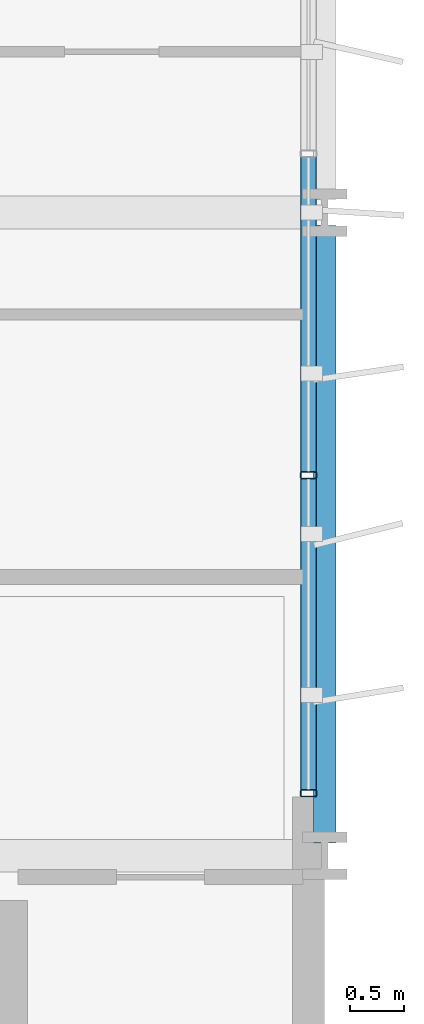
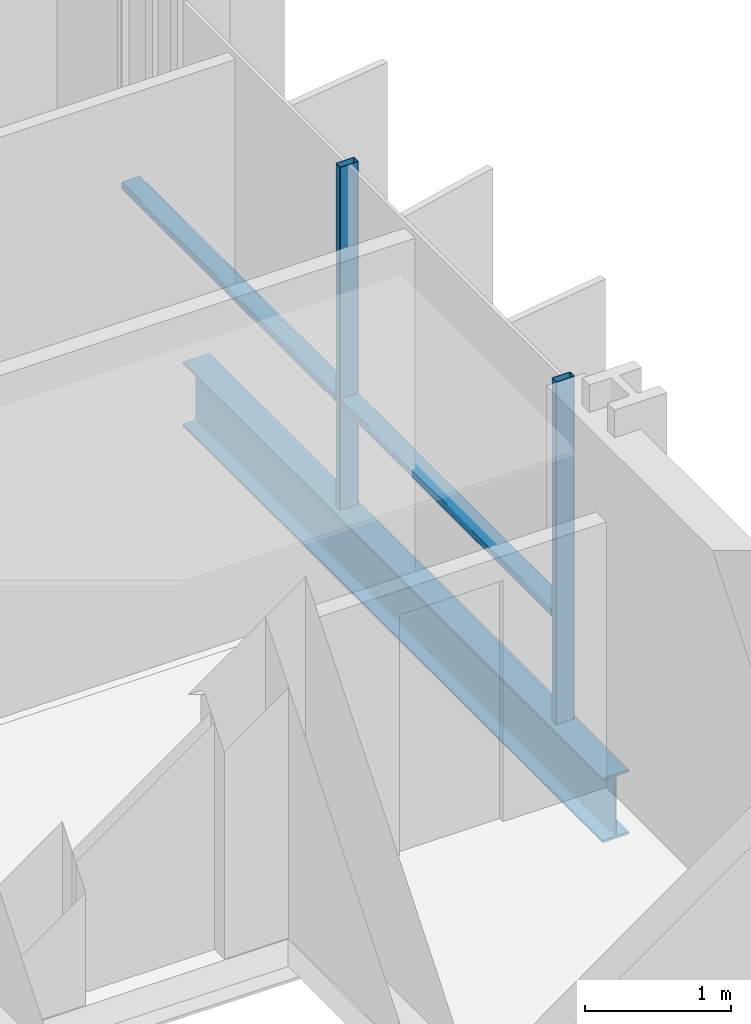
# One storey, part 15 of 39: 4 members, 1 beam, 1 element without a shape of its own.
"""IFC4 building model written with IfcOpenShell, lengths in metres."""

from ifc_helpers import new_model, si_unit, direction, frame, origin, origin_2d, place, context, subcontext, project, spatial, hollow_rectangle, i_section, extrude, material, layer, layer_set, material_profile, profile_set, type_object, element, aggregate, save


model = new_model("IFC4")

# Units and contexts
model_context = context("Model", 3, precision=1e-05, world=origin(), true_north=direction((0.0, 1.0)))
body_context = subcontext(model_context, "Body", "Model", "MODEL_VIEW")
ifc_project = project(units=[si_unit("LENGTHUNIT", "METRE"), si_unit("AREAUNIT", "SQUARE_METRE"), si_unit("VOLUMEUNIT", "CUBIC_METRE"), si_unit("PLANEANGLEUNIT", "RADIAN"), si_unit("MASSUNIT", "GRAM", prefix="KILO")], contexts=[model_context])

# Site, building, storey
site_placement = place(None, origin())
site = spatial("IfcSite", under=ifc_project, at=site_placement, CompositionType="ELEMENT")
building_placement = place(site_placement, origin())
building = spatial("IfcBuilding", under=site, at=building_placement, Name="Brevholm Reach", CompositionType="ELEMENT")
storey_placement = place(building_placement, frame((0.0, 0.0, 40.39990234375)))
storey = spatial("IfcBuildingStorey", under=building, at=storey_placement, Name="L10", CompositionType="ELEMENT", Elevation=40.39990234375)

# Beam
ifc_material_1 = material(Name="Structural Steel S355J2", Category="steel")
ifc_material_profile_1 = material_profile(ifc_material_1, i_section(OverallWidth=0.210693359375, OverallDepth=0.53955078125, WebThickness=0.01171875, FlangeThickness=0.018798828125, FilletRadius=0.0126953125, at=origin_2d()), Name="UKB 533x210x109")
ifc_profile_set_1 = profile_set([ifc_material_profile_1], Name="Structural Steel S355J2")
beam_type = type_object("IfcBeamType", Name="BM-SP539", PredefinedType="SPANDREL", material=ifc_profile_set_1)
beam_placement = place(storey_placement, frame((60.0, 10.1201171875, -0.499755859375), z_axis=(0.0, 1.0, 0.0), x_axis=(-1.0, 0.0, 0.0)))
element("IfcBeam", 1, at=beam_placement, inside=storey, type_object=beam_type, Name="L10 SP-01B Framing Beam", PredefinedType="SPANDREL", context=body_context, shape_type="SweptSolid", body=[
    extrude(i_section(OverallWidth=0.210693359375, OverallDepth=0.53955078125, WebThickness=0.01171875, FlangeThickness=0.018798828125, FilletRadius=0.0126953125, at=origin_2d()), origin(), (0.0, 0.0, 1.0), 5.759765625),
])

# Curtain wall, members
ifc_material_2 = material(Name="Dark Anodised Aluminium 6063-T6 and Solar-Control Glass", Category="aluminium")
ifc_layer = layer(ifc_material_2, 0.14990234375)
ifc_layer_set = layer_set([ifc_layer], Name="Dark Anodised Aluminium 6063-T6 and Solar-Control Glass")
curtain_wall_type = type_object("IfcCurtainWallType", Name="CW-01", PredefinedType="NOTDEFINED", material=ifc_layer_set)
curtain_wall_placement = place(storey_placement, origin())
curtain_wall = element("IfcCurtainWall", 2, at=curtain_wall_placement, inside=storey, type_object=curtain_wall_type, Name="L10 Curtain Wall CW-01", PredefinedType="NOTDEFINED")
ifc_material_3 = material(Name="Dark Anodised Aluminium 6063-T6", Category="aluminium")
ifc_material_profile_2 = material_profile(ifc_material_3, hollow_rectangle(XDim=0.06494140625, YDim=0.14990234375, WallThickness=0.0048828125, InnerFilletRadius=0.0048828125, OuterFilletRadius=0.010009765625, at=origin_2d()), Name="RHS 150x65x5")
ifc_profile_set_2 = profile_set([ifc_material_profile_2], Name="Dark Anodised Aluminium 6063-T6")
member_type_1 = type_object("IfcMemberType", Name="CWM-150", PredefinedType="MULLION", material=ifc_profile_set_2)
member_1_placement = place(storey_placement, frame((59.85009765625, 10.58251953125, 0.0), z_axis=(0.0, 0.0, 1.0), x_axis=(0.0, 1.0, 0.0)))
member_1 = element("IfcMember", 3, at=member_1_placement, type_object=member_type_1, Name="CM-150 Mullion 1", PredefinedType="MULLION", context=body_context, shape_type="SweptSolid", body=[
    extrude(hollow_rectangle(XDim=0.06494140625, YDim=0.14990234375, WallThickness=0.0048828125, InnerFilletRadius=0.0048828125, OuterFilletRadius=0.010009765625, at=origin_2d()), origin(), (0.0, 0.0, 1.0), 2.8701171875),
])
member_2_placement = place(storey_placement, frame((59.85009765625, 13.550048828125, 0.0), z_axis=(0.0, 0.0, 1.0), x_axis=(0.0, 1.0, 0.0)))
member_2 = element("IfcMember", 4, at=member_2_placement, type_object=member_type_1, Name="CM-150 Mullion 2", PredefinedType="MULLION", context=body_context, shape_type="SweptSolid", body=[
    extrude(hollow_rectangle(XDim=0.06494140625, YDim=0.14990234375, WallThickness=0.0048828125, InnerFilletRadius=0.0048828125, OuterFilletRadius=0.010009765625, at=origin_2d()), origin(), (0.0, 0.0, 1.0), 2.8701171875),
])
ifc_material_4 = material(Name="Dark Anodised Aluminium 6063-T6", Category="aluminium")
ifc_material_profile_3 = material_profile(ifc_material_4, hollow_rectangle(XDim=0.06494140625, YDim=0.14990234375, WallThickness=0.0048828125, InnerFilletRadius=0.0048828125, OuterFilletRadius=0.010009765625, at=origin_2d()), Name="RHS 150x65x5")
ifc_profile_set_3 = profile_set([ifc_material_profile_3], Name="Dark Anodised Aluminium 6063-T6")
member_type_2 = type_object("IfcMemberType", Name="CWT-150", PredefinedType="NOTDEFINED", material=ifc_profile_set_3)
member_3_placement = place(storey_placement, frame((59.85009765625, 10.614990234375, 0.900146484375), z_axis=(0.0, 1.0, 0.0), x_axis=(0.0, 0.0, 1.0)))
member_3 = element("IfcMember", 5, at=member_3_placement, type_object=member_type_2, Name="CT-150 Transom 1.1", ObjectType="TRANSOM", PredefinedType="USERDEFINED", context=body_context, shape_type="SweptSolid", body=[
    extrude(hollow_rectangle(XDim=0.06494140625, YDim=0.14990234375, WallThickness=0.0048828125, InnerFilletRadius=0.0048828125, OuterFilletRadius=0.010009765625, at=origin_2d()), origin(), (0.0, 0.0, 1.0), 2.902587890625),
])
member_4_placement = place(storey_placement, frame((59.85009765625, 13.58251953125, 0.900146484375), z_axis=(0.0, 1.0, 0.0), x_axis=(0.0, 0.0, 1.0)))
member_4 = element("IfcMember", 6, at=member_4_placement, type_object=member_type_2, Name="CT-150 Transom 2.1", ObjectType="TRANSOM", PredefinedType="USERDEFINED", context=body_context, shape_type="SweptSolid", body=[
    extrude(hollow_rectangle(XDim=0.06494140625, YDim=0.14990234375, WallThickness=0.0048828125, InnerFilletRadius=0.0048828125, OuterFilletRadius=0.010009765625, at=origin_2d()), origin(), (0.0, 0.0, 1.0), 2.93505859375),
])
aggregate(curtain_wall, [member_1, member_2, member_3, member_4])

save(model, "model.ifc")
